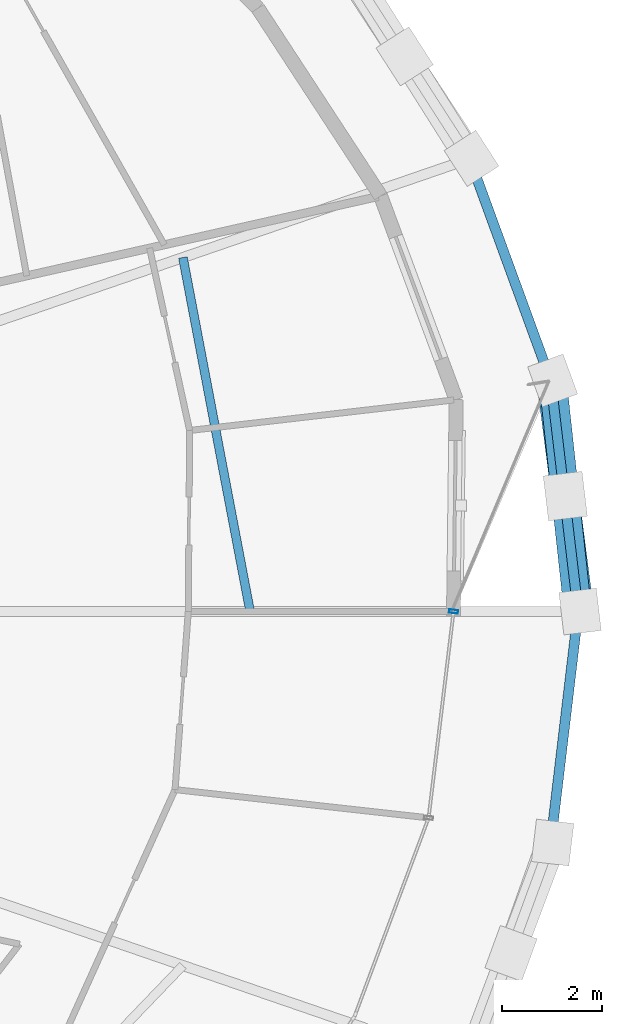
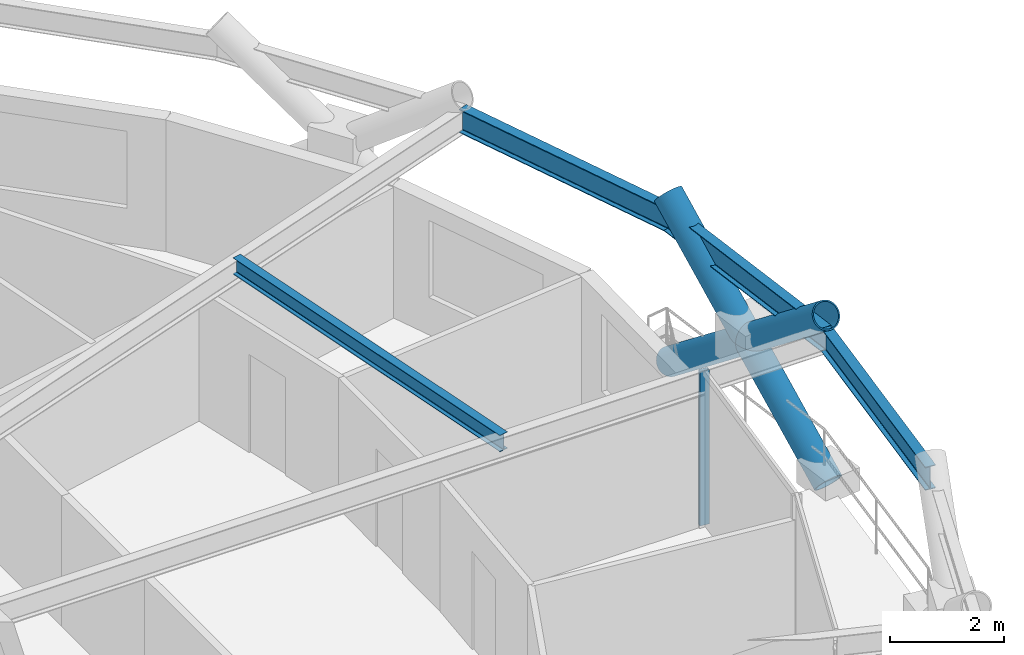
# One storey, part 11 of 21: 4 beams, 4 members, 1 element without a shape of its own.
"""IFC4 building model written with IfcOpenShell, lengths in metres."""

from ifc_helpers import new_model, si_unit, direction, frame, origin, origin_2d, place, context, subcontext, project, spatial, hollow_rectangle, hollow_circle, i_section, extrude, material, layer, layer_set, material_profile, profile_set, type_object, element, aggregate, save


model = new_model("IFC4")

# Units and contexts
model_context = context("Model", 3, precision=1e-05, world=origin(), true_north=direction((0.0, 1.0)))
body_context = subcontext(model_context, "Body", "Model", "MODEL_VIEW")
ifc_project = project(units=[si_unit("LENGTHUNIT", "METRE"), si_unit("AREAUNIT", "SQUARE_METRE"), si_unit("VOLUMEUNIT", "CUBIC_METRE"), si_unit("PLANEANGLEUNIT", "RADIAN"), si_unit("MASSUNIT", "GRAM", prefix="KILO")], contexts=[model_context])

# Site, building, storey
site_placement = place(None, origin())
site = spatial("IfcSite", under=ifc_project, at=site_placement, CompositionType="ELEMENT")
building_placement = place(site_placement, origin())
building = spatial("IfcBuilding", under=site, at=building_placement, Name="Veldorina Hangang Commons", CompositionType="ELEMENT")
storey_placement = place(building_placement, frame((0.0, 0.0, 142.39990234375)))
storey = spatial("IfcBuildingStorey", under=building, at=storey_placement, Name="L36", CompositionType="ELEMENT", Elevation=142.39990234375)

# Beams
ifc_material_1 = material(Name="Steel SM355-TMC", Category="steel")
ifc_material_profile_1 = material_profile(ifc_material_1, i_section(OverallWidth=0.175048828125, OverallDepth=0.35009765625, WebThickness=0.007080078125, FlangeThickness=0.010986328125, FilletRadius=0.012939453125, at=origin_2d()), Name="H-350x175x7x11")
ifc_profile_set_1 = profile_set([ifc_material_profile_1], Name="Steel SM355-TMC")
beam_type_1 = type_object("IfcBeamType", Name="BM-JST350", PredefinedType="JOIST", material=ifc_profile_set_1)
beam_1_placement = place(storey_placement, frame((53.841796875, 24.0, 3.175048828125), z_axis=(-0.186557239119, 0.982444093337, 0.0), x_axis=(-0.982444093337, -0.186557239119, 0.0)))
element("IfcBeam", 1, at=beam_1_placement, inside=storey, type_object=beam_type_1, Name="L36 secondary floor joist 01", PredefinedType="JOIST", context=body_context, shape_type="SweptSolid", body=[
    extrude(i_section(OverallWidth=0.175048828125, OverallDepth=0.35009765625, WebThickness=0.007080078125, FlangeThickness=0.010986328125, FilletRadius=0.012939453125, at=origin_2d()), origin(), (0.0, 0.0, 1.0), 7.177978515625),
])
ifc_material_2 = material(Name="Steel SM420-TMC", Category="steel")
ifc_material_profile_2 = material_profile(ifc_material_2, i_section(OverallWidth=0.199951171875, OverallDepth=0.5, WebThickness=0.010009765625, FlangeThickness=0.01611328125, FilletRadius=0.01611328125, at=origin_2d()), Name="H-500x200x10x16")
ifc_profile_set_2 = profile_set([ifc_material_profile_2], Name="Steel SM420-TMC")
beam_type_2 = type_object("IfcBeamType", Name="BM-RB500", PredefinedType="BEAM", material=ifc_profile_set_2)
beam_2_placement = place(storey_placement, frame((60.376708984375, 24.0, 3.10009765625), z_axis=(-0.117820384331, 0.993034922365, 0.0), x_axis=(-0.993034922365, -0.117820384331, 0.0)))
element("IfcBeam", 2, at=beam_2_placement, inside=storey, type_object=beam_type_2, Name="L36 perimeter hoop ring beam 00", PredefinedType="BEAM", context=body_context, shape_type="SweptSolid", body=[
    extrude(i_section(OverallWidth=0.199951171875, OverallDepth=0.5, WebThickness=0.010009765625, FlangeThickness=0.01611328125, FilletRadius=0.01611328125, at=origin_2d()), origin(), (0.0, 0.0, 1.0), 4.629150390625),
])
beam_3_placement = place(storey_placement, frame((59.831298828125, 28.596923828125, 3.10009765625), z_axis=(-0.34311725986, 0.939292577415, 0.0), x_axis=(-0.939292577415, -0.34311725986, 0.0)))
element("IfcBeam", 3, at=beam_3_placement, inside=storey, type_object=beam_type_2, Name="L36 perimeter hoop ring beam 01", PredefinedType="BEAM", context=body_context, shape_type="SweptSolid", body=[
    extrude(i_section(OverallWidth=0.199951171875, OverallDepth=0.5, WebThickness=0.010009765625, FlangeThickness=0.01611328125, FilletRadius=0.01611328125, at=origin_2d()), origin(), (0.0, 0.0, 1.0), 4.7060546875),
])
beam_4_placement = place(storey_placement, frame((59.831298828125, 19.403076171875, 3.10009765625), z_axis=(0.117820384331, 0.993034922365, 0.0), x_axis=(-0.993034922365, 0.117820384331, 0.0)))
element("IfcBeam", 4, at=beam_4_placement, inside=storey, type_object=beam_type_2, Name="L36 perimeter hoop ring beam 31", PredefinedType="BEAM", context=body_context, shape_type="SweptSolid", body=[
    extrude(i_section(OverallWidth=0.199951171875, OverallDepth=0.5, WebThickness=0.010009765625, FlangeThickness=0.01611328125, FilletRadius=0.01611328125, at=origin_2d()), origin(), (0.0, 0.0, 1.0), 4.629150390625),
])

# Curtain wall, member
ifc_material_3 = material(Name="Glass Low-E Triple IGU", Category="glass")
ifc_layer = layer(ifc_material_3, 0.179931640625)
ifc_layer_set = layer_set([ifc_layer], Name="Glass Low-E Triple IGU")
curtain_wall_type = type_object("IfcCurtainWallType", Name="CW-SYS-Z2", PredefinedType="NOTDEFINED", material=ifc_layer_set)
curtain_wall_placement = place(storey_placement, origin())
curtain_wall = element("IfcCurtainWall", 5, at=curtain_wall_placement, inside=storey, type_object=curtain_wall_type, Name="L36 unitised curtain wall CW-L36-R2", PredefinedType="NOTDEFINED")
ifc_material_4 = material(Name="Aluminium Anodized AA6063-T6", Category="aluminium")
ifc_material_profile_3 = material_profile(ifc_material_4, hollow_rectangle(XDim=0.070068359375, YDim=0.179931640625, WallThickness=0.00390625, at=origin_2d()), Name="ALU-RHS-180x70x4")
ifc_profile_set_3 = profile_set([ifc_material_profile_3], Name="Aluminium Anodized AA6063-T6")
member_type_1 = type_object("IfcMemberType", Name="CW-MUL-180", PredefinedType="MULLION", material=ifc_profile_set_3)
member_1_placement = place(storey_placement, frame((57.89453125, 24.0, 0.0), z_axis=(0.0, 0.0, 1.0), x_axis=(-0.12017149253, -0.992753147758, 0.0)))
member_1 = element("IfcMember", 6, at=member_1_placement, type_object=member_type_1, Name="CW-L36-R2 vertical mullion 4", PredefinedType="MULLION", context=body_context, shape_type="SweptSolid", body=[
    extrude(hollow_rectangle(XDim=0.070068359375, YDim=0.179931640625, WallThickness=0.00390625, at=origin_2d()), origin(), (0.0, 0.0, 1.0), 3.31005859375),
])
aggregate(curtain_wall, [member_1])

# Members
ifc_material_profile_4 = material_profile(ifc_material_2, hollow_circle(Radius=0.27490234375, WallThickness=0.028076171875, at=origin_2d()), Name="CHS-550x28")
ifc_profile_set_4 = profile_set([ifc_material_profile_4], Name="Steel SM420-TMC")
member_type_2 = type_object("IfcMemberType", Name="DG-CHS550", PredefinedType="BRACE", material=ifc_profile_set_4)
member_2_placement = place(storey_placement, frame((60.41455078125, 24.0, 0.0), z_axis=(-0.100394897521, 0.783271587539, 0.613519750869), x_axis=(-0.991885583365, -0.127133746556, 0.0)))
element("IfcMember", 7, at=member_2_placement, inside=storey, type_object=member_type_2, Name="L36 continuous perimeter diagrid brace 00", PredefinedType="BRACE", context=body_context, shape_type="SweptSolid", body=[
    extrude(hollow_circle(Radius=0.27490234375, WallThickness=0.028076171875, at=origin_2d()), origin(), (0.0, 0.0, 1.0), 5.867919921875),
])
member_3_placement = place(storey_placement, frame((59.86865234375, 28.602294921875, 0.0), z_axis=(0.085614447353, -0.784757499938, 0.613861411635), x_axis=(0.994101556814, 0.108453191472, 0.0)))
element("IfcMember", 8, at=member_3_placement, inside=storey, type_object=member_type_2, Name="L36 split perimeter diagrid lower brace 01", PredefinedType="BRACE", context=body_context, shape_type="SweptSolid", body=[
    extrude(hollow_circle(Radius=0.27490234375, WallThickness=0.028076171875, at=origin_2d()), origin(), (0.0, 0.0, 1.0), 2.934326171875),
])
member_4_placement = place(storey_placement, frame((60.119873046875, 26.299560546875, 1.80126953125), z_axis=(0.085565593978, -0.784753972425, 0.61387273265), x_axis=(0.994108174583, 0.10839251463, 0.0)))
element("IfcMember", 9, at=member_4_placement, inside=storey, type_object=member_type_2, Name="L36 split perimeter diagrid upper brace 01", PredefinedType="BRACE", context=body_context, shape_type="SweptSolid", body=[
    extrude(hollow_circle(Radius=0.27490234375, WallThickness=0.028076171875, at=origin_2d()), origin(), (0.0, 0.0, 1.0), 2.93017578125),
])

save(model, "model.ifc")
